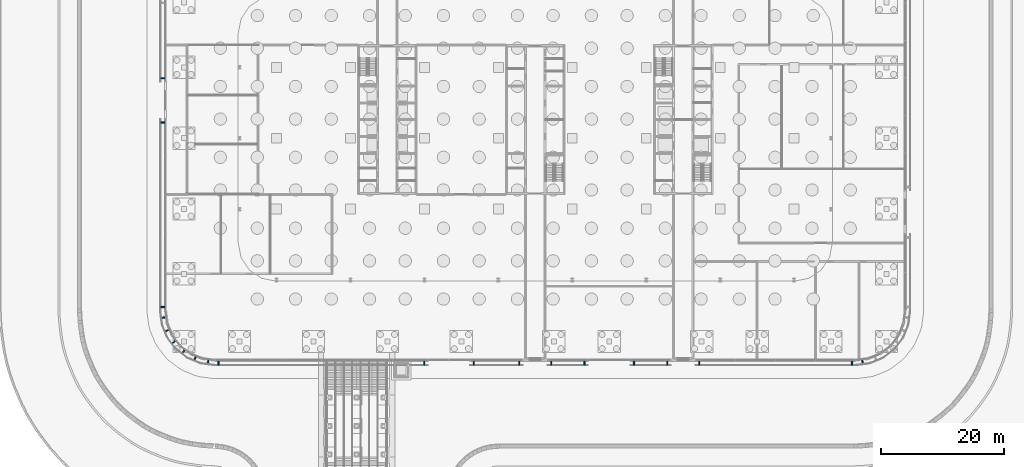
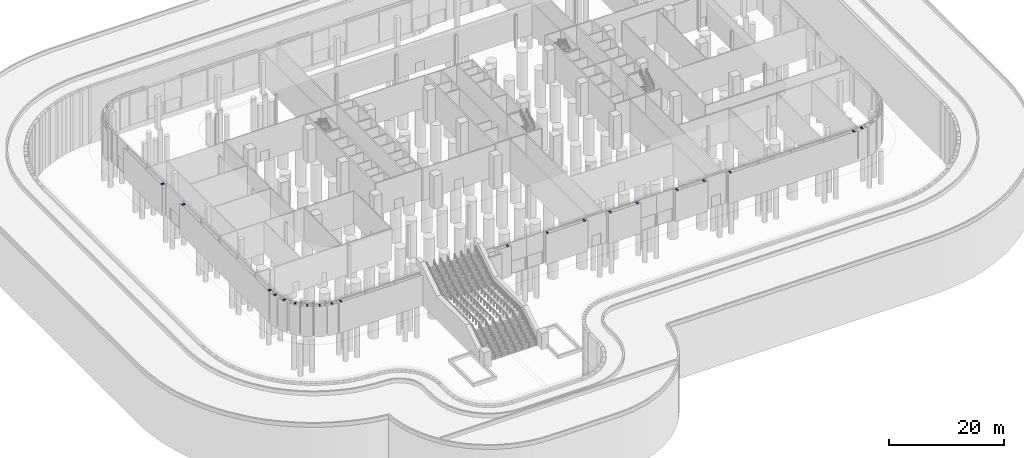
# One storey, part 33 of 48: 20 discrete accessories.
"""IFC4 building model written with IfcOpenShell, lengths in metres."""

from ifc_helpers import new_model, si_unit, direction, frame, origin, origin_2d, place, context, subcontext, project, spatial, rectangle, extrude, material, type_object, element, save


model = new_model("IFC4")

# Units and contexts
model_context = context("Model", 3, precision=1e-05, world=origin(), true_north=direction((0.0, 1.0)))
body_context = subcontext(model_context, "Body", "Model", "MODEL_VIEW")
ifc_project = project(units=[si_unit("LENGTHUNIT", "METRE"), si_unit("AREAUNIT", "SQUARE_METRE"), si_unit("VOLUMEUNIT", "CUBIC_METRE"), si_unit("PLANEANGLEUNIT", "RADIAN"), si_unit("MASSUNIT", "GRAM", prefix="KILO")], contexts=[model_context])

# Site, building, storey
site_placement = place(None, origin())
site = spatial("IfcSite", under=ifc_project, at=site_placement, CompositionType="ELEMENT")
building_placement = place(site_placement, origin())
building = spatial("IfcBuilding", under=site, at=building_placement, Name="Mahtab Terrace Research Tower", CompositionType="ELEMENT")
storey_placement = place(building_placement, origin())
storey = spatial("IfcBuildingStorey", under=building, at=storey_placement, Name="G", CompositionType="ELEMENT", Elevation=0.0)

# Discrete accessories
ifc_material = material(Name="Black anodised aluminium", Category="aluminium")
discrete_accessory_type = type_object("IfcDiscreteAccessoryType", Name="Facade bracket", PredefinedType="BRACKET", material=ifc_material)
for number, where, z_axis, x_axis, name in (
    (1, (-60.47509765625, 9.75, 6.39990234375), (0.0, 0.0, 1.0), (0.0, -1.0, 0.0), "Screen bracket Girih screen ground W3"),
    (2, (-60.47509765625, 2.550048828125, 6.39990234375), (0.0, 0.0, 1.0), (0.0, -1.0, 0.0), "Screen bracket Girih screen ground W5"),
    (3, (-60.47509765625, -27.39990234375, 6.39990234375), (0.0, 0.0, 1.0), (0.0, -1.0, 0.0), "Screen bracket Girih screen ground W5"),
    (4, (-60.33447265625, -29.09765625, 6.39990234375), (0.0, 0.0, 1.0), (0.130689793992, -0.991423309059, 0.0), "Screen bracket Girih screen ground W1"),
    (5, (-59.766357421875, -31.21728515625, 6.39990234375), (0.0, 0.0, 1.0), (0.382676089485, -0.923882573998, 0.0), "Screen bracket Girih screen ground W1"),
    (6, (-58.66943359375, -33.11767578125, 6.39990234375), (0.0, 0.0, 1.0), (0.60862253119, -0.793459901021, 0.0), "Screen bracket Girih screen ground W1"),
    (7, (-57.11767578125, -34.66943359375, 6.39990234375), (0.0, 0.0, 1.0), (0.793459901021, -0.60862253119, 0.0), "Screen bracket Girih screen ground S1"),
    (8, (-55.21728515625, -35.766357421875, 6.39990234375), (0.0, 0.0, 1.0), (0.923882573998, -0.382676089485, 0.0), "Screen bracket Girih screen ground S1"),
    (9, (-53.09765625, -36.33447265625, 6.39990234375), (0.0, 0.0, 1.0), (0.991423309059, -0.130689793992, 0.0), "Screen bracket Girih screen ground S1"),
    (10, (-51.39990234375, -36.47509765625, 6.39990234375), (0.0, 0.0, 1.0), (1.0, 0.0, 0.0), "Screen bracket Girih screen ground S1"),
    (11, (-18.0, -36.47509765625, 6.39990234375), (0.0, 0.0, 1.0), (1.0, 0.0, 0.0), "Screen bracket Girih screen ground S1"),
    (12, (-10.0, -36.47509765625, 6.39990234375), (0.0, 0.0, 1.0), (1.0, 0.0, 0.0), "Screen bracket Girih screen ground S4"),
    (13, (-2.60009765625, -36.47509765625, 6.39990234375), (0.0, 0.0, 1.0), (1.0, 0.0, 0.0), "Screen bracket Girih screen ground S4"),
    (14, (2.60009765625, -36.47509765625, 6.39990234375), (0.0, 0.0, 1.0), (1.0, 0.0, 0.0), "Screen bracket Girih screen ground S6"),
    (15, (8.0, -36.47509765625, 6.39990234375), (0.0, 0.0, 1.0), (1.0, 0.0, 0.0), "Screen bracket Girih screen ground S6"),
    (16, (16.0, -36.47509765625, 6.39990234375), (0.0, 0.0, 1.0), (1.0, 0.0, 0.0), "Screen bracket Girih screen ground S9"),
    (17, (21.39990234375, -36.47509765625, 6.39990234375), (0.0, 0.0, 1.0), (1.0, 0.0, 0.0), "Screen bracket Girih screen ground S9"),
    (18, (26.60009765625, -36.47509765625, 6.39990234375), (0.0, 0.0, 1.0), (1.0, 0.0, 0.0), "Screen bracket Girih screen ground S11"),
    (19, (51.39990234375, -36.47509765625, 6.39990234375), (0.0, 0.0, 1.0), (1.0, 0.0, 0.0), "Screen bracket Girih screen ground S11"),
    (20, (53.09765625, -36.33447265625, 6.39990234375), (0.0, 0.0, 1.0), (0.991423309059, 0.130689793992, 0.0), "Screen bracket Girih screen ground S1"),
):
    element("IfcDiscreteAccessory", number, at=place(storey_placement, frame(where, z_axis=z_axis, x_axis=x_axis)), inside=storey, type_object=discrete_accessory_type, Name=name, PredefinedType="BRACKET", context=body_context, shape_type="SweptSolid", body=[
        extrude(rectangle(XDim=0.199951171875, YDim=0.64990234375, at=origin_2d()), origin(), (0.0, 0.0, 1.0), 0.199951171875),
    ])

save(model, "model.ifc")
